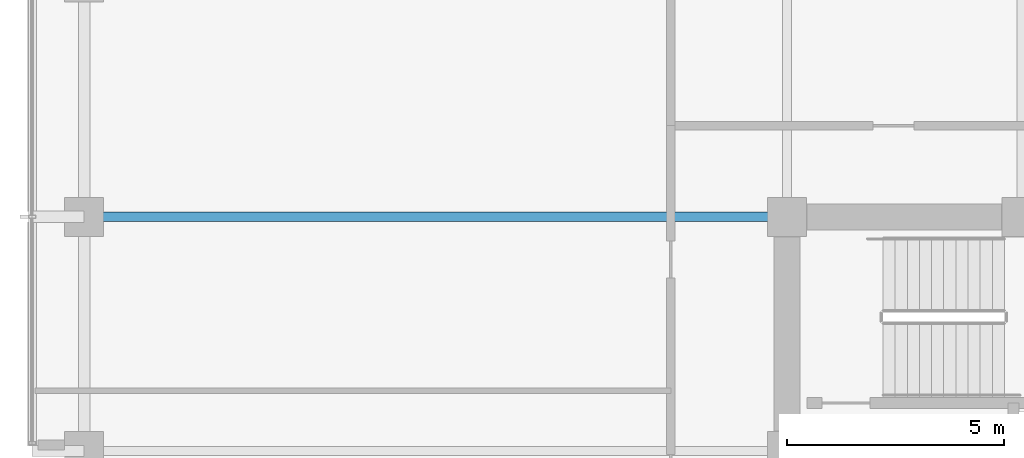
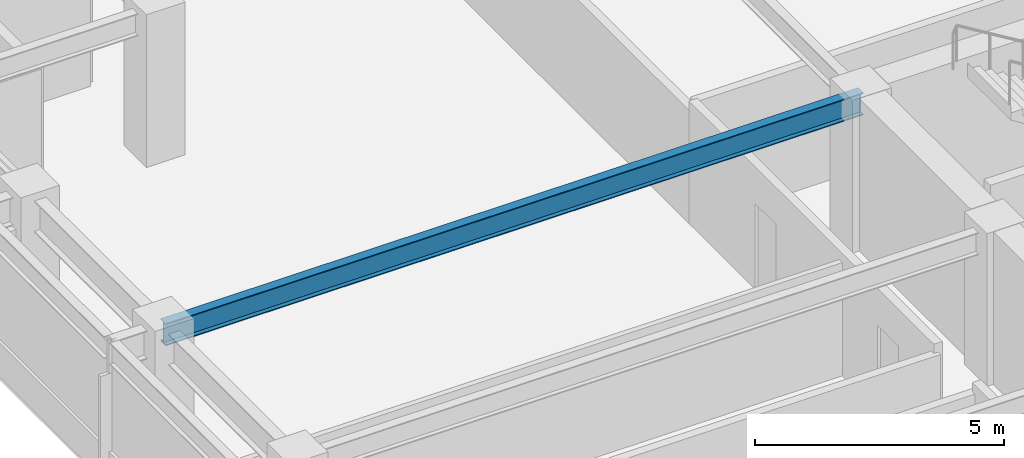
# One storey, part 17 of 32: 1 beam.
"""IFC4 building model written with IfcOpenShell, lengths in metres."""

from ifc_helpers import new_model, si_unit, direction, frame, origin, origin_2d, place, context, subcontext, project, spatial, i_section, extrude, material, material_profile, profile_set, type_object, element, save


model = new_model("IFC4")

# Units and contexts
model_context = context("Model", 3, precision=1e-05, world=origin(), true_north=direction((0.0, 1.0)))
body_context = subcontext(model_context, "Body", "Model", "MODEL_VIEW")
ifc_project = project(units=[si_unit("LENGTHUNIT", "METRE"), si_unit("AREAUNIT", "SQUARE_METRE"), si_unit("VOLUMEUNIT", "CUBIC_METRE"), si_unit("PLANEANGLEUNIT", "RADIAN"), si_unit("MASSUNIT", "GRAM", prefix="KILO")], contexts=[model_context])

# Site, building, storey
site_placement = place(None, origin())
site = spatial("IfcSite", under=ifc_project, at=site_placement, CompositionType="ELEMENT")
building_placement = place(site_placement, origin())
building = spatial("IfcBuilding", under=site, at=building_placement, Name="Surkhivell Harbour Commons", CompositionType="ELEMENT")
storey_placement = place(building_placement, frame((0.0, 0.0, 189.75)))
storey = spatial("IfcBuildingStorey", under=building, at=storey_placement, Name="L49", CompositionType="ELEMENT", Elevation=189.75)

# Beam
ifc_material = material(Name="Steel S355", Category="steel")
ifc_material_profile = material_profile(ifc_material, i_section(OverallWidth=0.2119140625, OverallDepth=0.5439453125, WebThickness=0.0126953125, FlangeThickness=0.021240234375, at=origin_2d()), Name="UB533x210x122")
ifc_profile_set = profile_set([ifc_material_profile], Name="Steel S355")
beam_type = type_object("IfcBeamType", Name="BM-GRD-533A", PredefinedType="BEAM", material=ifc_profile_set)
beam_placement = place(storey_placement, frame((-27.0, 10.800048828125, 3.298095703125), z_axis=(1.0, 0.0, 0.0), x_axis=(0.0, 1.0, 0.0)))
element("IfcBeam", 1, at=beam_placement, inside=storey, type_object=beam_type, Name="L49 Floor Girder (-27.0,10.8)", PredefinedType="BEAM", context=body_context, shape_type="SweptSolid", body=[
    extrude(i_section(OverallWidth=0.2119140625, OverallDepth=0.5439453125, WebThickness=0.0126953125, FlangeThickness=0.021240234375, at=origin_2d()), origin(), (0.0, 0.0, 1.0), 16.199951171875),
])

save(model, "model.ifc")
